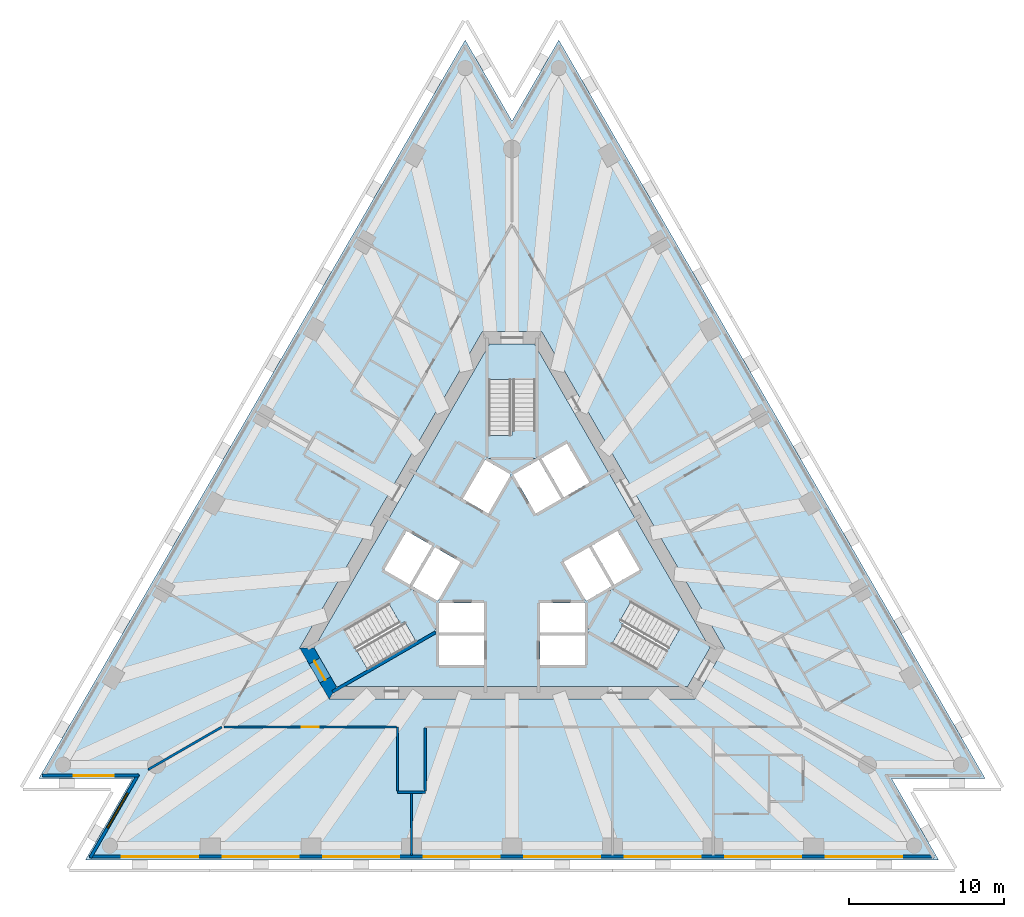
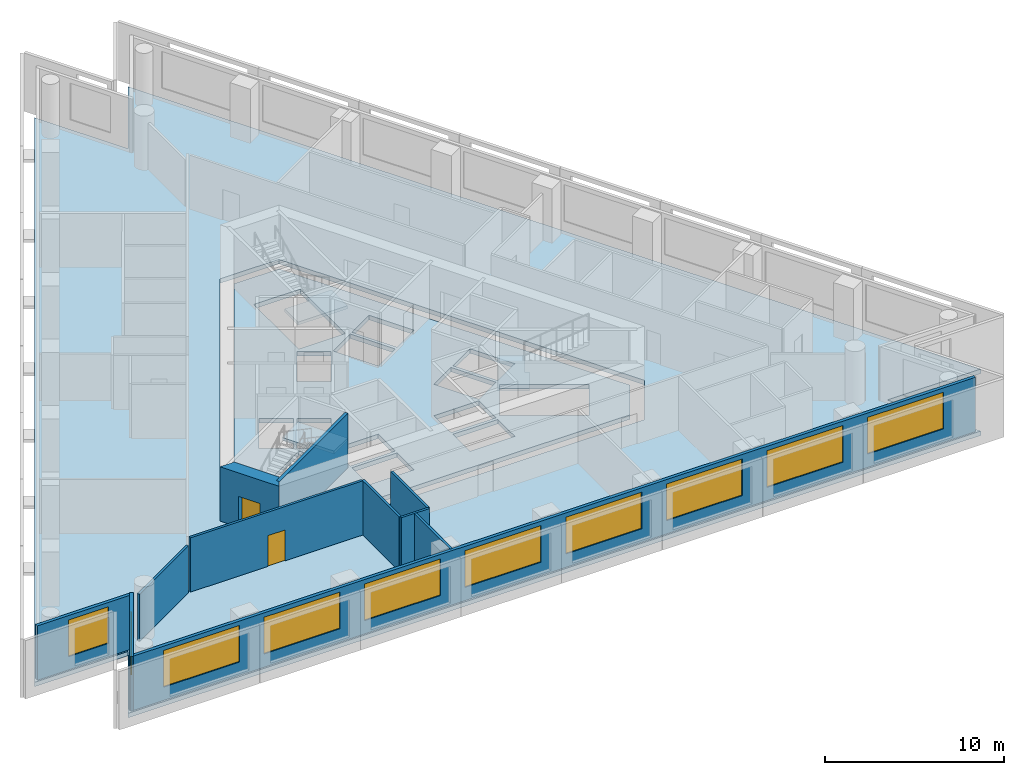
# One storey, part 2 of 9: 11 walls, 10 windows, 5 slabs, 2 doors, 12 openings, 3 elements without a shape of their own.
"""IFC4 building model written with IfcOpenShell, lengths in metres."""

from ifc_helpers import new_model, si_unit, direction, frame, frame_2d, origin, place, context, subcontext, project, spatial, polyline, rectangle, outline, extrude, material, layer, layer_set, layer_usage, type_object, element, fill, aggregate, save


model = new_model("IFC4")

# Units and contexts
model_context = context("Model", 3, precision=1e-05, world=origin(), true_north=direction((0.0, 1.0)))
body_context = subcontext(model_context, "Body", "Model", "MODEL_VIEW")
ifc_project = project(units=[si_unit("LENGTHUNIT", "METRE"), si_unit("AREAUNIT", "SQUARE_METRE"), si_unit("VOLUMEUNIT", "CUBIC_METRE"), si_unit("PLANEANGLEUNIT", "RADIAN"), si_unit("MASSUNIT", "GRAM", prefix="KILO")], contexts=[model_context])

# Site, building, storey
site_placement = place(None, origin())
site = spatial("IfcSite", under=ifc_project, at=site_placement, CompositionType="ELEMENT")
building_placement = place(site_placement, origin())
building = spatial("IfcBuilding", under=site, at=building_placement, Name="Triada Interchange Tower", CompositionType="ELEMENT")
storey_placement = place(building_placement, frame((0.0, 0.0, 172.300048828125)))
storey = spatial("IfcBuildingStorey", under=building, at=storey_placement, Name="L40", CompositionType="ELEMENT", Elevation=172.300048828125)

# Slabs
ifc_material_1 = material(Name="Concrete C50/60", Category="concrete")
ifc_layer_1 = layer(ifc_material_1, 0.300048828125)
ifc_layer_set_1 = layer_set([ifc_layer_1], Name="Floor slab 300")
slab_type_1 = type_object("IfcSlabType", Name="Floor slab 300", PredefinedType="FLOOR", material=ifc_layer_set_1)
slab_1_placement = place(storey_placement, frame((0.0, 0.0, -0.300048828125)))
element("IfcSlab", 1, at=slab_1_placement, inside=storey, type_object=slab_type_1, Name="Floor slab L40", PredefinedType="FLOOR", context=body_context, shape_type="SweptSolid", body=[
    extrude(outline(polyline([(-3.01708984375, 33.48193359375), (-30.5048828125, -14.1279296875), (-24.470947265625, -14.1279296875), (-27.488037109375, -19.35400390625), (27.488037109375, -19.35400390625), (24.470947265625, -14.1279296875), (30.5048828125, -14.1279296875), (3.01708984375, 33.48193359375), (0.0, 28.257080078125), (-3.01708984375, 33.48193359375)]), holes=[polyline([(1.905029296875, 14.699951171875), (-1.905029296875, 14.699951171875), (-13.68310546875, -5.699951171875), (-11.778076171875, -9.0), (11.778076171875, -9.0), (13.68310546875, -5.699951171875), (1.905029296875, 14.699951171875)])]), origin(), (0.0, 0.0, 1.0), 0.300048828125),
])
slab_2_placement = place(storey_placement, frame((0.0, 0.0, -0.300048828125)))
element("IfcSlab", 2, at=slab_2_placement, inside=storey, type_object=slab_type_1, Name="Core floor slab L40 1", PredefinedType="FLOOR", context=body_context, shape_type="SweptSolid", body=[
    extrude(outline(polyline([(12.759033203125, -5.699951171875), (11.31591796875, -8.199951171875), (-11.31591796875, -8.199951171875), (-12.759033203125, -5.699951171875), (-1.443115234375, 13.89990234375), (1.443115234375, 13.89990234375), (12.759033203125, -5.699951171875)]), holes=[polyline([(9.2958984375, -7.09912109375), (10.7958984375, -4.5009765625), (6.466064453125, -2.0009765625), (4.966064453125, -4.59912109375), (9.2958984375, -7.09912109375)]), polyline([(6.7890625, 1.841064453125), (5.14404296875, 0.89111328125), (6.593994140625, -1.6201171875), (8.239013671875, -0.669921875), (6.7890625, 1.841064453125)]), polyline([(4.77490234375, -2.669921875), (6.419921875, -1.719970703125), (4.969970703125, 0.791015625), (3.9150390625, 0.181884765625), (3.324951171875, -0.158935546875), (4.77490234375, -2.669921875)]), polyline([(1.89404296875, 6.52001953125), (3.343994140625, 4.009033203125), (4.989013671875, 4.958984375), (3.5390625, 7.469970703125), (1.89404296875, 6.52001953125)]), polyline([(4.699951171875, -6.800048828125), (4.699951171875, -4.89990234375), (1.800048828125, -4.89990234375), (1.800048828125, -6.800048828125), (4.699951171875, -6.800048828125)]), polyline([(4.699951171875, -2.800048828125), (1.800048828125, -2.800048828125), (1.800048828125, -4.699951171875), (4.699951171875, -4.699951171875), (4.699951171875, -2.800048828125)]), polyline([(0.074951171875, 5.469970703125), (1.52490234375, 2.958984375), (3.169921875, 3.908935546875), (1.719970703125, 6.419921875), (0.074951171875, 5.469970703125)]), polyline([(1.5, 11.60009765625), (-1.5, 11.60009765625), (-1.5, 6.60009765625), (1.5, 6.60009765625), (1.5, 11.60009765625)]), polyline([(-1.52490234375, 2.958984375), (-0.074951171875, 5.469970703125), (-1.719970703125, 6.419921875), (-3.169921875, 3.908935546875), (-1.52490234375, 2.958984375)]), polyline([(-1.800048828125, -2.800048828125), (-4.699951171875, -2.800048828125), (-4.699951171875, -4.699951171875), (-1.800048828125, -4.699951171875), (-1.800048828125, -2.800048828125)]), polyline([(-4.699951171875, -6.800048828125), (-1.800048828125, -6.800048828125), (-1.800048828125, -4.89990234375), (-4.699951171875, -4.89990234375), (-4.699951171875, -6.800048828125)]), polyline([(-4.77490234375, -2.669921875), (-3.324951171875, -0.158935546875), (-4.969970703125, 0.791015625), (-6.419921875, -1.719970703125), (-4.77490234375, -2.669921875)]), polyline([(-10.7958984375, -4.5009765625), (-9.2958984375, -7.09912109375), (-4.966064453125, -4.59912109375), (-6.466064453125, -2.0009765625), (-10.7958984375, -4.5009765625)]), polyline([(-6.593994140625, -1.6201171875), (-5.14404296875, 0.89111328125), (-6.7890625, 1.841064453125), (-8.239013671875, -0.669921875), (-6.593994140625, -1.6201171875)])]), origin(), (0.0, 0.0, 1.0), 0.300048828125),
])

# Stair, slab
ifc_material_2 = material(Name="Concrete C35/45", Category="concrete")
stair_type = type_object("IfcStairType", Name="HALF TURN STAIR 1400", PredefinedType="HALF_TURN_STAIR", material=ifc_material_2)
stair_1_placement = place(storey_placement, origin())
stair_1 = element("IfcStair", 3, at=stair_1_placement, inside=storey, type_object=stair_type, Name="Exit stair S38-1", PredefinedType="HALF_TURN_STAIR")
ifc_layer_2 = layer(ifc_material_2, 0.199951171875)
ifc_layer_set_2 = layer_set([ifc_layer_2], Name="STAIR LANDING 200")
slab_type_2 = type_object("IfcSlabType", Name="STAIR LANDING 200", PredefinedType="LANDING", material=ifc_layer_set_2)
slab_3_placement = place(storey_placement, frame((0.0, 0.0, 1.719970703125)))
slab_3 = element("IfcSlab", 4, at=slab_3_placement, type_object=slab_type_2, Name="S38-1 landing 1", PredefinedType="LANDING", context=body_context, shape_type="SweptSolid", body=[
    extrude(outline(polyline([(1.60009765625, 6.5), (1.60009765625, 8.300048828125), (0.0, 8.300048828125), (0.0, 8.0), (-1.60009765625, 8.0), (-1.60009765625, 6.5), (1.60009765625, 6.5)])), origin(), (0.0, 0.0, 1.0), 0.199951171875),
])
aggregate(stair_1, [slab_3])

stair_2_placement = place(storey_placement, origin())
stair_2 = element("IfcStair", 5, at=stair_2_placement, inside=storey, type_object=stair_type, Name="Exit stair S38-2", PredefinedType="HALF_TURN_STAIR")
slab_4_placement = place(storey_placement, frame((0.0, 0.0, 1.719970703125)))
slab_4 = element("IfcSlab", 6, at=slab_4_placement, type_object=slab_type_2, Name="S38-2 landing 1", PredefinedType="LANDING", context=body_context, shape_type="SweptSolid", body=[
    extrude(outline(polyline([(-6.428955078125, -1.864013671875), (-7.988037109375, -2.763916015625), (-7.18798828125, -4.14990234375), (-6.927978515625, -4.0), (-6.1279296875, -5.385986328125), (-4.8291015625, -4.635986328125), (-6.428955078125, -1.864013671875)])), origin(), (0.0, 0.0, 1.0), 0.199951171875),
])
aggregate(stair_2, [slab_4])

stair_3_placement = place(storey_placement, origin())
stair_3 = element("IfcStair", 7, at=stair_3_placement, inside=storey, type_object=stair_type, Name="Exit stair S38-3", PredefinedType="HALF_TURN_STAIR")
slab_5_placement = place(storey_placement, frame((0.0, 0.0, 1.719970703125)))
slab_5 = element("IfcSlab", 8, at=slab_5_placement, type_object=slab_type_2, Name="S38-3 landing 1", PredefinedType="LANDING", context=body_context, shape_type="SweptSolid", body=[
    extrude(outline(polyline([(4.8291015625, -4.635986328125), (6.387939453125, -5.535888671875), (7.18798828125, -4.14990234375), (6.927978515625, -4.0), (7.72802734375, -2.614013671875), (6.428955078125, -1.864013671875), (4.8291015625, -4.635986328125)])), origin(), (0.0, 0.0, 1.0), 0.199951171875),
])
aggregate(stair_3, [slab_5])

# Wall
ifc_material_3 = material(Name="Concrete C30/37", Category="concrete")
ifc_layer_3 = layer(ifc_material_3, 0.199951171875)
ifc_layer_set_3 = layer_set([ifc_layer_3], Name="CORE WALL 200 REI 240")
wall_type_1 = type_object("IfcWallType", Name="CORE WALL 200 REI 240", PredefinedType="SOLIDWALL", material=ifc_layer_set_3)
wall_1_placement = place(storey_placement, frame((-11.56689453125, -8.52587890625, 0.0), z_axis=(0.0, 0.0, 1.0), x_axis=(0.866005769735, 0.50003400563, 0.0)))
element("IfcWall", 9, at=wall_1_placement, inside=storey, type_object=wall_type_1, Name="Wall L38 87", PredefinedType="SOLIDWALL", context=body_context, shape_type="SweptSolid", body=[
    extrude(rectangle(XDim=7.6650390625, YDim=0.199951171875, at=frame_2d((3.83251953125, 0.0))), origin(), (0.0, 0.0, 1.0), 3.699951171875),
])

# Wall, opening, door
ifc_material_4 = material(Name="Concrete C60/75", Category="concrete")
ifc_layer_4 = layer(ifc_material_4, 0.800048828125)
ifc_layer_set_4 = layer_set([ifc_layer_4], Name="Core wall B 800")
wall_type_2 = type_object("IfcWallType", Name="Core wall B 800", PredefinedType="SHEAR", material=ifc_layer_set_4)
wall_2_placement = place(storey_placement, frame((-13.220947265625, -5.699951171875, -0.300048828125), z_axis=(0.0, 0.0, 1.0), x_axis=(0.49987182685, -0.866099391942, 0.0)))
wall_2 = element("IfcWall", 10, at=wall_2_placement, inside=storey, type_object=wall_type_2, Name="Core wall WB03 L40", PredefinedType="SHEAR", context=body_context, shape_type="SweptSolid", body=[
    extrude(outline(polyline([(-0.23095703125, -0.39990234375), (1.674072265625, -0.39990234375), (3.5791015625, -0.39990234375), (3.117919921875, 0.39990234375), (1.67431640625, 0.39990234375), (0.23095703125, 0.39990234375), (-0.23095703125, -0.39990234375)])), origin(), (0.0, 0.0, 1.0), 4.0),
])
opening_1_placement = place(wall_2_placement, frame((0.97412109375, 0.0, 0.300048828125)))
opening_1 = element("IfcOpeningElement", 11, at=opening_1_placement, cuts=wall_2, Name="Opening D38-37", PredefinedType="OPENING", context=body_context, shape_type="SweptSolid", body=[
    extrude(rectangle(XDim=1.39990234375, YDim=2.10009765625, at=frame_2d((0.699951171875, 1.050048828125))), frame((0.0, 0.409912109375, 0.0), z_axis=(0.0, -1.0, 0.0), x_axis=(1.0, 0.0, 0.0)), (0.0, 0.0, 1.0), 0.820068359375),
])
ifc_material_5 = material(Name="Steel S235 door leaf", Category="steel")
door_type_1 = type_object("IfcDoorType", Name="STAIR DOOR 1400 EI2 90-C5S200", OperationType="DOUBLE_DOOR_SINGLE_SWING", PredefinedType="DOOR", material=ifc_material_5)
door_1_placement = place(opening_1_placement, origin())
door_1 = element("IfcDoor", 12, at=door_1_placement, inside=storey, type_object=door_type_1, Name="Door D38-37 L40", OperationType="DOUBLE_DOOR_SINGLE_SWING", OverallHeight=2.10009765625, OverallWidth=1.39990234375, PredefinedType="DOOR", context=body_context, shape_type="SweptSolid", body=[
    extrude(rectangle(XDim=1.39990234375, YDim=2.10009765625, at=frame_2d((0.699951171875, 1.050048828125))), frame((0.0, 0.02490234375, 0.0), z_axis=(0.0, -1.0, 0.0), x_axis=(1.0, 0.0, 0.0)), (0.0, 0.0, 1.0), 0.050048828125),
])
fill(opening_1, door_1)

# Wall, opening, window
ifc_material_6 = material(Name="Cement board")
ifc_layer_5 = layer(ifc_material_6, 0.02001953125, Name="Cement board cladding")
ifc_material_7 = material(Name="Sheathing board")
ifc_layer_6 = layer(ifc_material_7, 0.014892578125, Name="Sheathing board")
ifc_material_8 = material(Name="Mineral wool")
ifc_layer_7 = layer(ifc_material_8, 0.14990234375, Name="Mineral wool between steel studs")
ifc_material_9 = material(Name="Gypsum board")
ifc_layer_8 = layer(ifc_material_9, 0.014892578125, Name="Plasterboard lining")
ifc_layer_set_5 = layer_set([ifc_layer_5, ifc_layer_6, ifc_layer_7, ifc_layer_8], Name="External wall 200")
ifc_layer_usage = layer_usage(ifc_layer_set_5, "AXIS2", "POSITIVE", -0.10009765625)
wall_type_3 = type_object("IfcWallType", Name="External wall 200", PredefinedType="ELEMENTEDWALL", material=ifc_layer_set_5)
wall_3_placement = place(storey_placement, frame((-30.2490234375, -13.927978515625, 0.0), z_axis=(0.0, 0.0, 1.0), x_axis=(1.0, 0.0, 0.0)))
wall_3 = element("IfcWall", 13, at=wall_3_placement, inside=storey, type_object=wall_type_3, material=ifc_layer_usage, Name="External wall L40 SW-1", PredefinedType="ELEMENTEDWALL", context=body_context, shape_type="SweptSolid", body=[
    extrude(rectangle(XDim=6.194091796875, YDim=0.199951171875, at=frame_2d((3.09716796875, 0.0))), origin(), (0.0, 0.0, 1.0), 3.699951171875),
])
opening_2_placement = place(wall_3_placement, frame((1.989990234375, 0.0, 0.89990234375)))
opening_2 = element("IfcOpeningElement", 14, at=opening_2_placement, cuts=wall_3, Name="Opening WB09", PredefinedType="OPENING", context=body_context, shape_type="SweptSolid", body=[
    extrude(rectangle(XDim=2.60009765625, YDim=2.5, at=frame_2d((1.300048828125, 1.25))), frame((0.0, 0.10986328125, 0.0), z_axis=(0.0, -1.0, 0.0), x_axis=(1.0, 0.0, 0.0)), (0.0, 0.0, 1.0), 0.219970703125),
])
ifc_material_10 = material(Name="Double glazed aluminium window", Category="aluminium")
window_type_1 = type_object("IfcWindowType", Name="Ribbon window B pocket", PartitioningType="SINGLE_PANEL", PredefinedType="WINDOW", material=ifc_material_10)
window_1_placement = place(opening_2_placement, origin())
window_1 = element("IfcWindow", 15, at=window_1_placement, inside=storey, type_object=window_type_1, Name="Window L40 SW-1 1", OverallHeight=2.5, OverallWidth=2.60009765625, PartitioningType="SINGLE_PANEL", PredefinedType="WINDOW", context=body_context, shape_type="SweptSolid", body=[
    extrude(rectangle(XDim=2.60009765625, YDim=2.5, at=frame_2d((1.300048828125, 1.25))), frame((0.0, 0.030029296875, 0.0), z_axis=(0.0, -1.0, 0.0), x_axis=(1.0, 0.0, 0.0)), (0.0, 0.0, 1.0), 0.06005859375),
])
fill(opening_2, window_1)

wall_4_placement = place(storey_placement, frame((-24.080078125, -13.85009765625, 0.0), z_axis=(0.0, 0.0, 1.0), x_axis=(-0.499932836684, -0.86606417707, 0.0)))
wall_4 = element("IfcWall", 16, at=wall_4_placement, inside=storey, type_object=wall_type_3, material=ifc_layer_usage, Name="External wall L40 SW-2", PredefinedType="ELEMENTEDWALL", context=body_context, shape_type="SweptSolid", body=[
    extrude(rectangle(XDim=6.194580078125, YDim=0.199951171875, at=frame_2d((3.09716796875, 0.0))), origin(), (0.0, 0.0, 1.0), 3.699951171875),
])
opening_3_placement = place(wall_4_placement, frame((1.389892578125, 0.0, 0.89990234375)))
opening_3 = element("IfcOpeningElement", 17, at=opening_3_placement, cuts=wall_4, Name="Opening WB10", PredefinedType="OPENING", context=body_context, shape_type="SweptSolid", body=[
    extrude(rectangle(XDim=2.60009765625, YDim=2.5, at=frame_2d((1.300048828125, 1.25))), frame((0.0, 0.10986328125, 0.0), z_axis=(0.0, -1.0, 0.0), x_axis=(1.0, 0.0, 0.0)), (0.0, 0.0, 1.0), 0.219970703125),
])
window_2_placement = place(opening_3_placement, origin())
window_2 = element("IfcWindow", 18, at=window_2_placement, inside=storey, type_object=window_type_1, Name="Window L40 SW-2 1", OverallHeight=2.5, OverallWidth=2.60009765625, PartitioningType="SINGLE_PANEL", PredefinedType="WINDOW", context=body_context, shape_type="SweptSolid", body=[
    extrude(rectangle(XDim=2.60009765625, YDim=2.5, at=frame_2d((1.300048828125, 1.25))), frame((0.0, 0.030029296875, 0.0), z_axis=(0.0, -1.0, 0.0), x_axis=(1.0, 0.0, 0.0)), (0.0, 0.0, 1.0), 0.06005859375),
])
fill(opening_3, window_2)

# Wall, openings, windows
wall_5_placement = place(storey_placement, frame((-27.23193359375, -19.154052734375, 0.0), z_axis=(0.0, 0.0, 1.0), x_axis=(1.0, 0.0, 0.0)))
wall_5 = element("IfcWall", 19, at=wall_5_placement, inside=storey, type_object=wall_type_3, material=ifc_layer_usage, Name="External wall L40 S", PredefinedType="ELEMENTEDWALL", context=body_context, shape_type="SweptSolid", body=[
    extrude(rectangle(XDim=54.44384765625, YDim=0.199951171875, at=frame_2d((27.221923828125, 0.0))), origin(), (0.0, 0.0, 1.0), 3.699951171875),
])
opening_4_placement = place(wall_5_placement, frame((2.093994140625, 0.0, 0.89990234375)))
opening_4 = element("IfcOpeningElement", 20, at=opening_4_placement, cuts=wall_5, Name="Opening WB11", PredefinedType="OPENING", context=body_context, shape_type="SweptSolid", body=[
    extrude(rectangle(XDim=4.89990234375, YDim=2.5, at=frame_2d((2.449951171875, 1.25))), frame((0.0, 0.10986328125, 0.0), z_axis=(0.0, -1.0, 0.0), x_axis=(1.0, 0.0, 0.0)), (0.0, 0.0, 1.0), 0.219970703125),
])
opening_5_placement = place(wall_5_placement, frame((8.575927734375, 0.0, 0.89990234375)))
opening_5 = element("IfcOpeningElement", 21, at=opening_5_placement, cuts=wall_5, Name="Opening WB12", PredefinedType="OPENING", context=body_context, shape_type="SweptSolid", body=[
    extrude(rectangle(XDim=4.89990234375, YDim=2.5, at=frame_2d((2.449951171875, 1.25))), frame((0.0, 0.10986328125, 0.0), z_axis=(0.0, -1.0, 0.0), x_axis=(1.0, 0.0, 0.0)), (0.0, 0.0, 1.0), 0.219970703125),
])
opening_6_placement = place(wall_5_placement, frame((15.05908203125, 0.0, 0.89990234375)))
opening_6 = element("IfcOpeningElement", 22, at=opening_6_placement, cuts=wall_5, Name="Opening WB13", PredefinedType="OPENING", context=body_context, shape_type="SweptSolid", body=[
    extrude(rectangle(XDim=4.89990234375, YDim=2.5, at=frame_2d((2.449951171875, 1.25))), frame((0.0, 0.10986328125, 0.0), z_axis=(0.0, -1.0, 0.0), x_axis=(1.0, 0.0, 0.0)), (0.0, 0.0, 1.0), 0.219970703125),
])
opening_7_placement = place(wall_5_placement, frame((21.541015625, 0.0, 0.89990234375)))
opening_7 = element("IfcOpeningElement", 23, at=opening_7_placement, cuts=wall_5, Name="Opening WB14", PredefinedType="OPENING", context=body_context, shape_type="SweptSolid", body=[
    extrude(rectangle(XDim=4.89990234375, YDim=2.5, at=frame_2d((2.449951171875, 1.25))), frame((0.0, 0.10986328125, 0.0), z_axis=(0.0, -1.0, 0.0), x_axis=(1.0, 0.0, 0.0)), (0.0, 0.0, 1.0), 0.219970703125),
])
opening_8_placement = place(wall_5_placement, frame((28.02294921875, 0.0, 0.89990234375)))
opening_8 = element("IfcOpeningElement", 24, at=opening_8_placement, cuts=wall_5, Name="Opening WB15", PredefinedType="OPENING", context=body_context, shape_type="SweptSolid", body=[
    extrude(rectangle(XDim=4.89990234375, YDim=2.5, at=frame_2d((2.449951171875, 1.25))), frame((0.0, 0.10986328125, 0.0), z_axis=(0.0, -1.0, 0.0), x_axis=(1.0, 0.0, 0.0)), (0.0, 0.0, 1.0), 0.219970703125),
])
opening_9_placement = place(wall_5_placement, frame((34.5048828125, 0.0, 0.89990234375)))
opening_9 = element("IfcOpeningElement", 25, at=opening_9_placement, cuts=wall_5, Name="Opening WB16", PredefinedType="OPENING", context=body_context, shape_type="SweptSolid", body=[
    extrude(rectangle(XDim=4.89990234375, YDim=2.5, at=frame_2d((2.449951171875, 1.25))), frame((0.0, 0.10986328125, 0.0), z_axis=(0.0, -1.0, 0.0), x_axis=(1.0, 0.0, 0.0)), (0.0, 0.0, 1.0), 0.219970703125),
])
opening_10_placement = place(wall_5_placement, frame((40.988037109375, 0.0, 0.89990234375)))
opening_10 = element("IfcOpeningElement", 26, at=opening_10_placement, cuts=wall_5, Name="Opening WB17", PredefinedType="OPENING", context=body_context, shape_type="SweptSolid", body=[
    extrude(rectangle(XDim=4.89990234375, YDim=2.5, at=frame_2d((2.449951171875, 1.25))), frame((0.0, 0.10986328125, 0.0), z_axis=(0.0, -1.0, 0.0), x_axis=(1.0, 0.0, 0.0)), (0.0, 0.0, 1.0), 0.219970703125),
])
opening_11_placement = place(wall_5_placement, frame((47.469970703125, 0.0, 0.89990234375)))
opening_11 = element("IfcOpeningElement", 27, at=opening_11_placement, cuts=wall_5, Name="Opening WB18", PredefinedType="OPENING", context=body_context, shape_type="SweptSolid", body=[
    extrude(rectangle(XDim=4.89990234375, YDim=2.5, at=frame_2d((2.449951171875, 1.25))), frame((0.0, 0.10986328125, 0.0), z_axis=(0.0, -1.0, 0.0), x_axis=(1.0, 0.0, 0.0)), (0.0, 0.0, 1.0), 0.219970703125),
])
window_type_2 = type_object("IfcWindowType", Name="Ribbon window B face", PartitioningType="SINGLE_PANEL", PredefinedType="WINDOW", material=ifc_material_10)
window_3_placement = place(opening_4_placement, origin())
window_3 = element("IfcWindow", 28, at=window_3_placement, inside=storey, type_object=window_type_2, Name="Window L40 S 1", OverallHeight=2.5, OverallWidth=4.89990234375, PartitioningType="SINGLE_PANEL", PredefinedType="WINDOW", context=body_context, shape_type="SweptSolid", body=[
    extrude(rectangle(XDim=4.89990234375, YDim=2.5, at=frame_2d((2.449951171875, 1.25))), frame((0.0, 0.030029296875, 0.0), z_axis=(0.0, -1.0, 0.0), x_axis=(1.0, 0.0, 0.0)), (0.0, 0.0, 1.0), 0.06005859375),
])
fill(opening_4, window_3)
window_4_placement = place(opening_5_placement, origin())
window_4 = element("IfcWindow", 29, at=window_4_placement, inside=storey, type_object=window_type_2, Name="Window L40 S 2", OverallHeight=2.5, OverallWidth=4.89990234375, PartitioningType="SINGLE_PANEL", PredefinedType="WINDOW", context=body_context, shape_type="SweptSolid", body=[
    extrude(rectangle(XDim=4.89990234375, YDim=2.5, at=frame_2d((2.449951171875, 1.25))), frame((0.0, 0.030029296875, 0.0), z_axis=(0.0, -1.0, 0.0), x_axis=(1.0, 0.0, 0.0)), (0.0, 0.0, 1.0), 0.06005859375),
])
fill(opening_5, window_4)
window_5_placement = place(opening_6_placement, origin())
window_5 = element("IfcWindow", 30, at=window_5_placement, inside=storey, type_object=window_type_2, Name="Window L40 S 3", OverallHeight=2.5, OverallWidth=4.89990234375, PartitioningType="SINGLE_PANEL", PredefinedType="WINDOW", context=body_context, shape_type="SweptSolid", body=[
    extrude(rectangle(XDim=4.89990234375, YDim=2.5, at=frame_2d((2.449951171875, 1.25))), frame((0.0, 0.030029296875, 0.0), z_axis=(0.0, -1.0, 0.0), x_axis=(1.0, 0.0, 0.0)), (0.0, 0.0, 1.0), 0.06005859375),
])
fill(opening_6, window_5)
window_6_placement = place(opening_7_placement, origin())
window_6 = element("IfcWindow", 31, at=window_6_placement, inside=storey, type_object=window_type_2, Name="Window L40 S 4", OverallHeight=2.5, OverallWidth=4.89990234375, PartitioningType="SINGLE_PANEL", PredefinedType="WINDOW", context=body_context, shape_type="SweptSolid", body=[
    extrude(rectangle(XDim=4.89990234375, YDim=2.5, at=frame_2d((2.449951171875, 1.25))), frame((0.0, 0.030029296875, 0.0), z_axis=(0.0, -1.0, 0.0), x_axis=(1.0, 0.0, 0.0)), (0.0, 0.0, 1.0), 0.06005859375),
])
fill(opening_7, window_6)
window_7_placement = place(opening_8_placement, origin())
window_7 = element("IfcWindow", 32, at=window_7_placement, inside=storey, type_object=window_type_2, Name="Window L40 S 5", OverallHeight=2.5, OverallWidth=4.89990234375, PartitioningType="SINGLE_PANEL", PredefinedType="WINDOW", context=body_context, shape_type="SweptSolid", body=[
    extrude(rectangle(XDim=4.89990234375, YDim=2.5, at=frame_2d((2.449951171875, 1.25))), frame((0.0, 0.030029296875, 0.0), z_axis=(0.0, -1.0, 0.0), x_axis=(1.0, 0.0, 0.0)), (0.0, 0.0, 1.0), 0.06005859375),
])
fill(opening_8, window_7)
window_8_placement = place(opening_9_placement, origin())
window_8 = element("IfcWindow", 33, at=window_8_placement, inside=storey, type_object=window_type_2, Name="Window L40 S 6", OverallHeight=2.5, OverallWidth=4.89990234375, PartitioningType="SINGLE_PANEL", PredefinedType="WINDOW", context=body_context, shape_type="SweptSolid", body=[
    extrude(rectangle(XDim=4.89990234375, YDim=2.5, at=frame_2d((2.449951171875, 1.25))), frame((0.0, 0.030029296875, 0.0), z_axis=(0.0, -1.0, 0.0), x_axis=(1.0, 0.0, 0.0)), (0.0, 0.0, 1.0), 0.06005859375),
])
fill(opening_9, window_8)
window_9_placement = place(opening_10_placement, origin())
window_9 = element("IfcWindow", 34, at=window_9_placement, inside=storey, type_object=window_type_2, Name="Window L40 S 7", OverallHeight=2.5, OverallWidth=4.89990234375, PartitioningType="SINGLE_PANEL", PredefinedType="WINDOW", context=body_context, shape_type="SweptSolid", body=[
    extrude(rectangle(XDim=4.89990234375, YDim=2.5, at=frame_2d((2.449951171875, 1.25))), frame((0.0, 0.030029296875, 0.0), z_axis=(0.0, -1.0, 0.0), x_axis=(1.0, 0.0, 0.0)), (0.0, 0.0, 1.0), 0.06005859375),
])
fill(opening_10, window_9)
window_10_placement = place(opening_11_placement, origin())
window_10 = element("IfcWindow", 35, at=window_10_placement, inside=storey, type_object=window_type_2, Name="Window L40 S 8", OverallHeight=2.5, OverallWidth=4.89990234375, PartitioningType="SINGLE_PANEL", PredefinedType="WINDOW", context=body_context, shape_type="SweptSolid", body=[
    extrude(rectangle(XDim=4.89990234375, YDim=2.5, at=frame_2d((2.449951171875, 1.25))), frame((0.0, 0.030029296875, 0.0), z_axis=(0.0, -1.0, 0.0), x_axis=(1.0, 0.0, 0.0)), (0.0, 0.0, 1.0), 0.06005859375),
])
fill(opening_11, window_10)

# Walls
ifc_material_11 = material(Name="Gypsum board partition")
ifc_layer_9 = layer(ifc_material_11, 0.14990234375)
ifc_layer_set_6 = layer_set([ifc_layer_9], Name="PARTITION 150 EI 180")
wall_type_4 = type_object("IfcWallType", Name="PARTITION 150 EI 180", PredefinedType="PARTITIONING", material=ifc_layer_set_6)
wall_6_placement = place(storey_placement, frame((-23.448974609375, -13.5380859375, 0.0), z_axis=(0.0, 0.0, 1.0), x_axis=(0.865971038555, 0.500094151519, 0.0)))
element("IfcWall", 36, at=wall_6_placement, inside=storey, type_object=wall_type_4, Name="Wall L38 1", PredefinedType="PARTITIONING", context=body_context, shape_type="SweptSolid", body=[
    extrude(rectangle(XDim=5.47705078125, YDim=0.14990234375, at=frame_2d((2.738525390625, 0.0))), origin(), (0.0, 0.0, 1.0), 3.199951171875),
])
wall_7_placement = place(storey_placement, frame((-7.382080078125, -15.0, 0.0), z_axis=(0.0, 0.0, 1.0), x_axis=(1.0, 0.0, 0.0)))
element("IfcWall", 37, at=wall_7_placement, inside=storey, type_object=wall_type_4, Name="Wall L38 4", PredefinedType="PARTITIONING", context=body_context, shape_type="SweptSolid", body=[
    extrude(rectangle(XDim=1.800048828125, YDim=0.14990234375, at=frame_2d((0.89990234375, 0.0))), origin(), (0.0, 0.0, 1.0), 3.699951171875),
])
wall_8_placement = place(storey_placement, frame((-7.382080078125, -14.925048828125, 0.0), z_axis=(0.0, 0.0, 1.0), x_axis=(0.0, 1.0, 0.0)))
element("IfcWall", 38, at=wall_8_placement, inside=storey, type_object=wall_type_4, Name="Wall L38 5", PredefinedType="PARTITIONING", context=body_context, shape_type="SweptSolid", body=[
    extrude(rectangle(XDim=4.1240234375, YDim=0.14990234375, at=frame_2d((2.06201171875, 0.0))), origin(), (0.0, 0.0, 1.0), 3.699951171875),
])

# Wall, opening, door
wall_9_placement = place(storey_placement, frame((-18.555908203125, -10.800048828125, 0.0), z_axis=(0.0, 0.0, 1.0), x_axis=(1.0, 0.0, 0.0)))
wall_9 = element("IfcWall", 39, at=wall_9_placement, inside=storey, type_object=wall_type_4, Name="Wall L38 6", PredefinedType="PARTITIONING", context=body_context, shape_type="SweptSolid", body=[
    extrude(rectangle(XDim=11.097900390625, YDim=0.14990234375, at=frame_2d((5.548828125, 0.0))), origin(), (0.0, 0.0, 1.0), 3.699951171875),
])
opening_12_placement = place(wall_9_placement, frame((5.0, 0.0, 0.0)))
opening_12 = element("IfcOpeningElement", 40, at=opening_12_placement, cuts=wall_9, Name="Opening D38-11", PredefinedType="OPENING", context=body_context, shape_type="SweptSolid", body=[
    extrude(rectangle(XDim=1.10009765625, YDim=2.10009765625, at=frame_2d((0.550048828125, 1.050048828125))), frame((0.0, 0.0849609375, 0.0), z_axis=(0.0, -1.0, 0.0), x_axis=(1.0, 0.0, 0.0)), (0.0, 0.0, 1.0), 0.169921875),
])
door_type_2 = type_object("IfcDoorType", Name="TENANCY ENTRANCE DOOR 1100 EI2 90-C5S200", OperationType="NOTDEFINED", PredefinedType="DOOR", material=ifc_material_5)
door_2_placement = place(opening_12_placement, origin())
door_2 = element("IfcDoor", 41, at=door_2_placement, inside=storey, type_object=door_type_2, Name="Door D38-11 L40", OperationType="SINGLE_SWING_RIGHT", OverallHeight=2.10009765625, OverallWidth=1.10009765625, PredefinedType="DOOR", context=body_context, shape_type="SweptSolid", body=[
    extrude(rectangle(XDim=1.10009765625, YDim=2.10009765625, at=frame_2d((0.550048828125, 1.050048828125))), frame((0.0, 0.02490234375, 0.0), z_axis=(0.0, -1.0, 0.0), x_axis=(1.0, 0.0, 0.0)), (0.0, 0.0, 1.0), 0.050048828125),
])
fill(opening_12, door_2)

# Walls
wall_10_placement = place(storey_placement, frame((-6.48193359375, -19.073974609375, 0.0), z_axis=(0.0, 0.0, 1.0), x_axis=(0.0, 1.0, 0.0)))
element("IfcWall", 42, at=wall_10_placement, inside=storey, type_object=wall_type_4, Name="Wall L38 22", PredefinedType="PARTITIONING", context=body_context, shape_type="SweptSolid", body=[
    extrude(rectangle(XDim=3.9990234375, YDim=0.14990234375, at=frame_2d((1.99951171875, 0.0))), origin(), (0.0, 0.0, 1.0), 3.699951171875),
])
wall_11_placement = place(storey_placement, frame((-5.58203125, -14.925048828125, 0.0), z_axis=(0.0, 0.0, 1.0), x_axis=(0.0, 1.0, 0.0)))
element("IfcWall", 43, at=wall_11_placement, inside=storey, type_object=wall_type_4, Name="Wall L38 23", PredefinedType="PARTITIONING", context=body_context, shape_type="SweptSolid", body=[
    extrude(rectangle(XDim=4.049072265625, YDim=0.14990234375, at=frame_2d((2.0244140625, 0.0))), origin(), (0.0, 0.0, 1.0), 3.699951171875),
])

save(model, "model.ifc")
